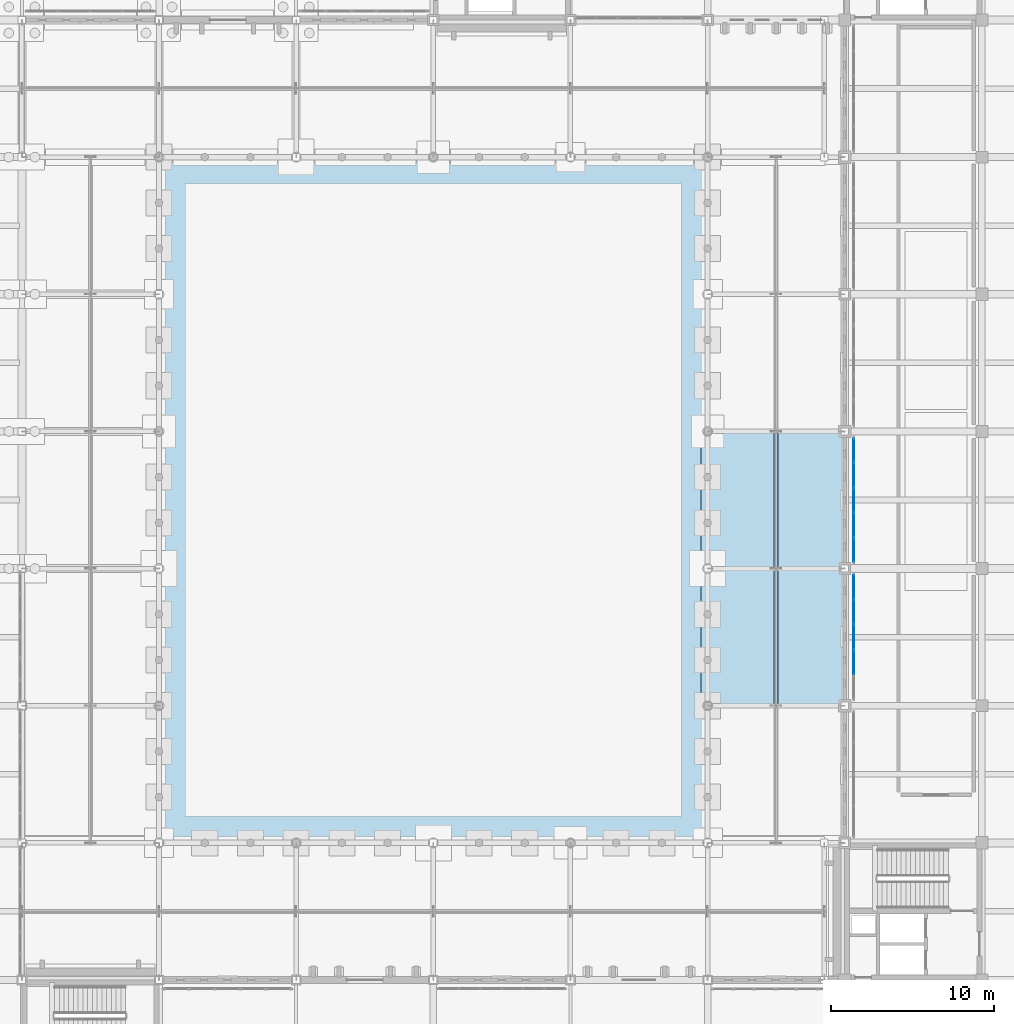
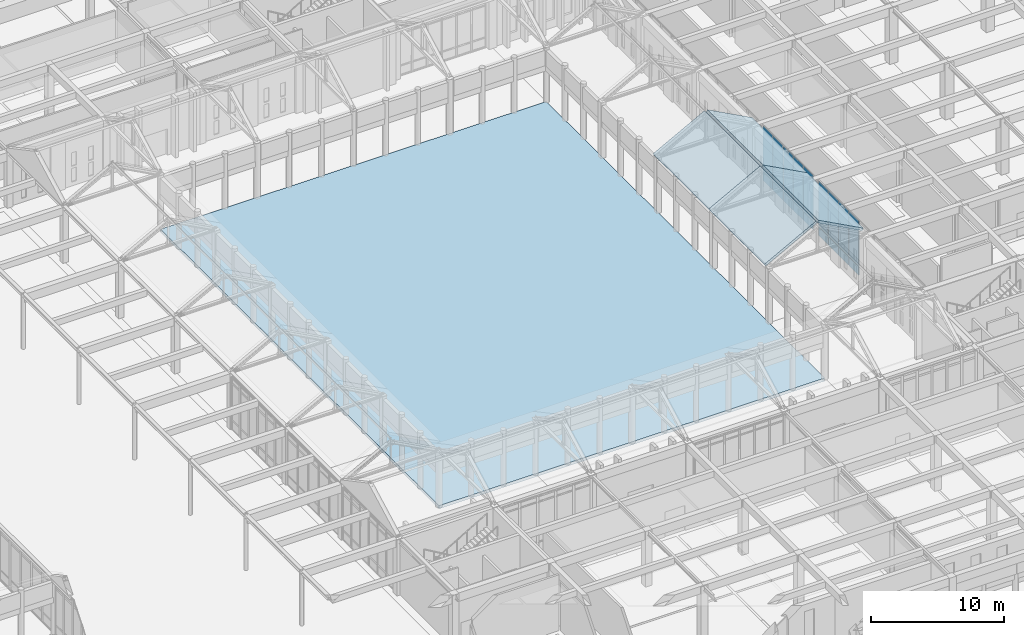
# One storey, part 75 of 143: 27 plates, 5 slabs, 2 elements without a shape of their own.
"""IFC4 building model written with IfcOpenShell, lengths in metres."""

from ifc_helpers import new_model, si_unit, direction, frame, origin, origin_2d, place, context, subcontext, project, spatial, polyline, rectangle, outline, extrude, material, layer, layer_set, type_object, element, aggregate, save


model = new_model("IFC4")

# Units and contexts
model_context = context("Model", 3, precision=1e-05, world=origin(), true_north=direction((0.0, 1.0)))
body_context = subcontext(model_context, "Body", "Model", "MODEL_VIEW")
ifc_project = project(units=[si_unit("LENGTHUNIT", "METRE"), si_unit("AREAUNIT", "SQUARE_METRE"), si_unit("VOLUMEUNIT", "CUBIC_METRE"), si_unit("PLANEANGLEUNIT", "RADIAN"), si_unit("MASSUNIT", "GRAM", prefix="KILO")], contexts=[model_context])

# Site, building, storey
site_placement = place(None, origin())
site = spatial("IfcSite", under=ifc_project, at=site_placement, CompositionType="ELEMENT")
building_placement = place(site_placement, origin())
building = spatial("IfcBuilding", under=site, at=building_placement, Name="Kveldsbrygga Polytechnic", CompositionType="ELEMENT")
storey_placement = place(building_placement, origin())
storey = spatial("IfcBuildingStorey", under=building, at=storey_placement, Name="L00", CompositionType="ELEMENT", Elevation=0.0)

# Curtain wall, plates
ifc_material_1 = material(Name="Anodised aluminium AW-6060", Category="aluminium")
ifc_layer_1 = layer(ifc_material_1, 0.18994140625)
ifc_layer_set_1 = layer_set([ifc_layer_1], Name="Anodised aluminium AW-6060")
curtain_wall_type_1 = type_object("IfcCurtainWallType", Name="CW-REFC-G", PredefinedType="USERDEFINED", material=ifc_layer_set_1)
curtain_wall_1_placement = place(storey_placement, origin())
curtain_wall_1 = element("IfcCurtainWall", 1, at=curtain_wall_1_placement, inside=storey, type_object=curtain_wall_type_1, Name="Curtain Wall CW-L00-Y-15-06", ObjectType="UNITISED CURTAIN WALL", PredefinedType="USERDEFINED")
ifc_material_2 = material(Name="Insulated triple low-E glass", Category="glass")
ifc_layer_2 = layer(ifc_material_2, 0.035888671875)
ifc_layer_set_2 = layer_set([ifc_layer_2], Name="Insulated triple low-E glass")
plate_type_1 = type_object("IfcPlateType", Name="CW-PAN-VIS36", PredefinedType="CURTAIN_PANEL", material=ifc_layer_set_2)
plate_1_placement = place(storey_placement, frame((126.550048828125, 51.533203125, 0.06005859375), z_axis=(0.0, 0.0, 1.0), x_axis=(0.0, 1.0, 0.0)))
plate_1 = element("IfcPlate", 2, at=plate_1_placement, type_object=plate_type_1, Name="CW-07 panel 1.1", PredefinedType="CURTAIN_PANEL", context=body_context, shape_type="SweptSolid", body=[
    extrude(rectangle(XDim=1.426513671875, YDim=0.035888671875, at=origin_2d()), origin(), (0.0, 0.0, 1.0), 0.81005859375),
])
plate_2_placement = place(storey_placement, frame((126.550048828125, 51.533203125, 0.93017578125), z_axis=(0.0, 0.0, 1.0), x_axis=(0.0, 1.0, 0.0)))
plate_2 = element("IfcPlate", 3, at=plate_2_placement, type_object=plate_type_1, Name="CW-07 panel 1.2", PredefinedType="CURTAIN_PANEL", context=body_context, shape_type="SweptSolid", body=[
    extrude(rectangle(XDim=1.426513671875, YDim=0.035888671875, at=origin_2d()), origin(), (0.0, 0.0, 1.0), 3.6298828125),
])
plate_3_placement = place(storey_placement, frame((126.550048828125, 51.533203125, 4.6201171875), z_axis=(0.0, 0.0, 1.0), x_axis=(0.0, 1.0, 0.0)))
plate_3 = element("IfcPlate", 4, at=plate_3_placement, type_object=plate_type_1, Name="CW-07 panel 1.3", PredefinedType="CURTAIN_PANEL", context=body_context, shape_type="SweptSolid", body=[
    extrude(rectangle(XDim=1.426513671875, YDim=0.035888671875, at=origin_2d()), origin(), (0.0, 0.0, 1.0), 0.4599609375),
])
plate_4_placement = place(storey_placement, frame((126.550048828125, 53.053466796875, 0.06005859375), z_axis=(0.0, 0.0, 1.0), x_axis=(0.0, 1.0, 0.0)))
plate_4 = element("IfcPlate", 5, at=plate_4_placement, type_object=plate_type_1, Name="CW-07 panel 2.1", PredefinedType="CURTAIN_PANEL", context=body_context, shape_type="SweptSolid", body=[
    extrude(rectangle(XDim=1.464111328125, YDim=0.035888671875, at=origin_2d()), origin(), (0.0, 0.0, 1.0), 0.81005859375),
])
plate_5_placement = place(storey_placement, frame((126.550048828125, 53.053466796875, 0.93017578125), z_axis=(0.0, 0.0, 1.0), x_axis=(0.0, 1.0, 0.0)))
plate_5 = element("IfcPlate", 6, at=plate_5_placement, type_object=plate_type_1, Name="CW-07 panel 2.2", PredefinedType="CURTAIN_PANEL", context=body_context, shape_type="SweptSolid", body=[
    extrude(rectangle(XDim=1.464111328125, YDim=0.035888671875, at=origin_2d()), origin(), (0.0, 0.0, 1.0), 3.6298828125),
])
plate_6_placement = place(storey_placement, frame((126.550048828125, 53.053466796875, 4.6201171875), z_axis=(0.0, 0.0, 1.0), x_axis=(0.0, 1.0, 0.0)))
plate_6 = element("IfcPlate", 7, at=plate_6_placement, type_object=plate_type_1, Name="CW-07 panel 2.3", PredefinedType="CURTAIN_PANEL", context=body_context, shape_type="SweptSolid", body=[
    extrude(rectangle(XDim=1.464111328125, YDim=0.035888671875, at=origin_2d()), origin(), (0.0, 0.0, 1.0), 0.4599609375),
])
plate_7_placement = place(storey_placement, frame((126.550048828125, 54.592529296875, 0.06005859375), z_axis=(0.0, 0.0, 1.0), x_axis=(0.0, 1.0, 0.0)))
plate_7 = element("IfcPlate", 8, at=plate_7_placement, type_object=plate_type_1, Name="CW-07 panel 3.1", PredefinedType="CURTAIN_PANEL", context=body_context, shape_type="SweptSolid", body=[
    extrude(rectangle(XDim=1.464111328125, YDim=0.035888671875, at=origin_2d()), origin(), (0.0, 0.0, 1.0), 0.81005859375),
])
plate_8_placement = place(storey_placement, frame((126.550048828125, 54.592529296875, 0.93017578125), z_axis=(0.0, 0.0, 1.0), x_axis=(0.0, 1.0, 0.0)))
plate_8 = element("IfcPlate", 9, at=plate_8_placement, type_object=plate_type_1, Name="CW-07 panel 3.2", PredefinedType="CURTAIN_PANEL", context=body_context, shape_type="SweptSolid", body=[
    extrude(rectangle(XDim=1.464111328125, YDim=0.035888671875, at=origin_2d()), origin(), (0.0, 0.0, 1.0), 3.6298828125),
])
plate_9_placement = place(storey_placement, frame((126.550048828125, 54.592529296875, 4.6201171875), z_axis=(0.0, 0.0, 1.0), x_axis=(0.0, 1.0, 0.0)))
plate_9 = element("IfcPlate", 10, at=plate_9_placement, type_object=plate_type_1, Name="CW-07 panel 3.3", PredefinedType="CURTAIN_PANEL", context=body_context, shape_type="SweptSolid", body=[
    extrude(rectangle(XDim=1.464111328125, YDim=0.035888671875, at=origin_2d()), origin(), (0.0, 0.0, 1.0), 0.4599609375),
])
plate_10_placement = place(storey_placement, frame((126.550048828125, 56.131591796875, 0.06005859375), z_axis=(0.0, 0.0, 1.0), x_axis=(0.0, 1.0, 0.0)))
plate_10 = element("IfcPlate", 11, at=plate_10_placement, type_object=plate_type_1, Name="CW-07 panel 4.1", PredefinedType="CURTAIN_PANEL", context=body_context, shape_type="SweptSolid", body=[
    extrude(rectangle(XDim=1.464111328125, YDim=0.035888671875, at=origin_2d()), origin(), (0.0, 0.0, 1.0), 0.81005859375),
])
plate_11_placement = place(storey_placement, frame((126.550048828125, 56.131591796875, 0.93017578125), z_axis=(0.0, 0.0, 1.0), x_axis=(0.0, 1.0, 0.0)))
plate_11 = element("IfcPlate", 12, at=plate_11_placement, type_object=plate_type_1, Name="CW-07 panel 4.2", PredefinedType="CURTAIN_PANEL", context=body_context, shape_type="SweptSolid", body=[
    extrude(rectangle(XDim=1.464111328125, YDim=0.035888671875, at=origin_2d()), origin(), (0.0, 0.0, 1.0), 3.6298828125),
])
plate_12_placement = place(storey_placement, frame((126.550048828125, 56.131591796875, 4.6201171875), z_axis=(0.0, 0.0, 1.0), x_axis=(0.0, 1.0, 0.0)))
plate_12 = element("IfcPlate", 13, at=plate_12_placement, type_object=plate_type_1, Name="CW-07 panel 4.3", PredefinedType="CURTAIN_PANEL", context=body_context, shape_type="SweptSolid", body=[
    extrude(rectangle(XDim=1.464111328125, YDim=0.035888671875, at=origin_2d()), origin(), (0.0, 0.0, 1.0), 0.4599609375),
])
plate_13_placement = place(storey_placement, frame((126.550048828125, 57.65185546875, 0.06005859375), z_axis=(0.0, 0.0, 1.0), x_axis=(0.0, 1.0, 0.0)))
plate_13 = element("IfcPlate", 14, at=plate_13_placement, type_object=plate_type_1, Name="CW-07 panel 5.1", PredefinedType="CURTAIN_PANEL", context=body_context, shape_type="SweptSolid", body=[
    extrude(rectangle(XDim=1.426513671875, YDim=0.035888671875, at=origin_2d()), origin(), (0.0, 0.0, 1.0), 0.81005859375),
])
plate_14_placement = place(storey_placement, frame((126.550048828125, 57.65185546875, 0.93017578125), z_axis=(0.0, 0.0, 1.0), x_axis=(0.0, 1.0, 0.0)))
plate_14 = element("IfcPlate", 15, at=plate_14_placement, type_object=plate_type_1, Name="CW-07 panel 5.2", PredefinedType="CURTAIN_PANEL", context=body_context, shape_type="SweptSolid", body=[
    extrude(rectangle(XDim=1.426513671875, YDim=0.035888671875, at=origin_2d()), origin(), (0.0, 0.0, 1.0), 3.6298828125),
])
plate_15_placement = place(storey_placement, frame((126.550048828125, 57.65185546875, 4.6201171875), z_axis=(0.0, 0.0, 1.0), x_axis=(0.0, 1.0, 0.0)))
plate_15 = element("IfcPlate", 16, at=plate_15_placement, type_object=plate_type_1, Name="CW-07 panel 5.3", PredefinedType="CURTAIN_PANEL", context=body_context, shape_type="SweptSolid", body=[
    extrude(rectangle(XDim=1.426513671875, YDim=0.035888671875, at=origin_2d()), origin(), (0.0, 0.0, 1.0), 0.4599609375),
])
aggregate(curtain_wall_1, [plate_1, plate_2, plate_3, plate_4, plate_5, plate_6, plate_7, plate_8, plate_9, plate_10, plate_11, plate_12, plate_13, plate_14, plate_15])

ifc_layer_3 = layer(ifc_material_1, 0.169921875)
ifc_layer_set_3 = layer_set([ifc_layer_3], Name="Anodised aluminium AW-6060")
curtain_wall_type_2 = type_object("IfcCurtainWallType", Name="CW-FOYR-F", PredefinedType="USERDEFINED", material=ifc_layer_set_3)
curtain_wall_2_placement = place(storey_placement, origin())
curtain_wall_2 = element("IfcCurtainWall", 17, at=curtain_wall_2_placement, inside=storey, type_object=curtain_wall_type_2, Name="Curtain Wall CW-L00-Y-15-05", ObjectType="STICK CURTAIN WALL", PredefinedType="USERDEFINED")
ifc_layer_4 = layer(ifc_material_2, 0.048095703125)
ifc_layer_set_4 = layer_set([ifc_layer_4], Name="Insulated triple low-E glass")
plate_type_2 = type_object("IfcPlateType", Name="CW-PAN-VIS48", PredefinedType="CURTAIN_PANEL", material=ifc_layer_set_4)
plate_16_placement = place(storey_placement, frame((126.550048828125, 44.66845703125, 0.074951171875), z_axis=(0.0, 0.0, 1.0), x_axis=(0.0, 1.0, 0.0)))
plate_16 = element("IfcPlate", 18, at=plate_16_placement, type_object=plate_type_2, Name="CW-06 panel 2.1", PredefinedType="CURTAIN_PANEL", context=body_context, shape_type="SweptSolid", body=[
    extrude(rectangle(XDim=1.47900390625, YDim=0.048095703125, at=origin_2d()), origin(), (0.0, 0.0, 1.0), 0.78759765625),
])
plate_17_placement = place(storey_placement, frame((126.550048828125, 44.66845703125, 0.9375), z_axis=(0.0, 0.0, 1.0), x_axis=(0.0, 1.0, 0.0)))
plate_17 = element("IfcPlate", 19, at=plate_17_placement, type_object=plate_type_2, Name="CW-06 panel 2.2", PredefinedType="CURTAIN_PANEL", context=body_context, shape_type="SweptSolid", body=[
    extrude(rectangle(XDim=1.47900390625, YDim=0.048095703125, at=origin_2d()), origin(), (0.0, 0.0, 1.0), 3.614990234375),
])
plate_18_placement = place(storey_placement, frame((126.550048828125, 44.66845703125, 4.62744140625), z_axis=(0.0, 0.0, 1.0), x_axis=(0.0, 1.0, 0.0)))
plate_18 = element("IfcPlate", 20, at=plate_18_placement, type_object=plate_type_2, Name="CW-06 panel 2.3", PredefinedType="CURTAIN_PANEL", context=body_context, shape_type="SweptSolid", body=[
    extrude(rectangle(XDim=1.47900390625, YDim=0.048095703125, at=origin_2d()), origin(), (0.0, 0.0, 1.0), 0.4375),
])
plate_19_placement = place(storey_placement, frame((126.550048828125, 46.20751953125, 0.074951171875), z_axis=(0.0, 0.0, 1.0), x_axis=(0.0, 1.0, 0.0)))
plate_19 = element("IfcPlate", 21, at=plate_19_placement, type_object=plate_type_2, Name="CW-06 panel 3.1", PredefinedType="CURTAIN_PANEL", context=body_context, shape_type="SweptSolid", body=[
    extrude(rectangle(XDim=1.47900390625, YDim=0.048095703125, at=origin_2d()), origin(), (0.0, 0.0, 1.0), 0.78759765625),
])
plate_20_placement = place(storey_placement, frame((126.550048828125, 46.20751953125, 0.9375), z_axis=(0.0, 0.0, 1.0), x_axis=(0.0, 1.0, 0.0)))
plate_20 = element("IfcPlate", 22, at=plate_20_placement, type_object=plate_type_2, Name="CW-06 panel 3.2", PredefinedType="CURTAIN_PANEL", context=body_context, shape_type="SweptSolid", body=[
    extrude(rectangle(XDim=1.47900390625, YDim=0.048095703125, at=origin_2d()), origin(), (0.0, 0.0, 1.0), 3.614990234375),
])
plate_21_placement = place(storey_placement, frame((126.550048828125, 46.20751953125, 4.62744140625), z_axis=(0.0, 0.0, 1.0), x_axis=(0.0, 1.0, 0.0)))
plate_21 = element("IfcPlate", 23, at=plate_21_placement, type_object=plate_type_2, Name="CW-06 panel 3.3", PredefinedType="CURTAIN_PANEL", context=body_context, shape_type="SweptSolid", body=[
    extrude(rectangle(XDim=1.47900390625, YDim=0.048095703125, at=origin_2d()), origin(), (0.0, 0.0, 1.0), 0.4375),
])
plate_22_placement = place(storey_placement, frame((126.550048828125, 47.74658203125, 0.074951171875), z_axis=(0.0, 0.0, 1.0), x_axis=(0.0, 1.0, 0.0)))
plate_22 = element("IfcPlate", 24, at=plate_22_placement, type_object=plate_type_2, Name="CW-06 panel 4.1", PredefinedType="CURTAIN_PANEL", context=body_context, shape_type="SweptSolid", body=[
    extrude(rectangle(XDim=1.47900390625, YDim=0.048095703125, at=origin_2d()), origin(), (0.0, 0.0, 1.0), 0.78759765625),
])
plate_23_placement = place(storey_placement, frame((126.550048828125, 47.74658203125, 0.9375), z_axis=(0.0, 0.0, 1.0), x_axis=(0.0, 1.0, 0.0)))
plate_23 = element("IfcPlate", 25, at=plate_23_placement, type_object=plate_type_2, Name="CW-06 panel 4.2", PredefinedType="CURTAIN_PANEL", context=body_context, shape_type="SweptSolid", body=[
    extrude(rectangle(XDim=1.47900390625, YDim=0.048095703125, at=origin_2d()), origin(), (0.0, 0.0, 1.0), 3.614990234375),
])
plate_24_placement = place(storey_placement, frame((126.550048828125, 47.74658203125, 4.62744140625), z_axis=(0.0, 0.0, 1.0), x_axis=(0.0, 1.0, 0.0)))
plate_24 = element("IfcPlate", 26, at=plate_24_placement, type_object=plate_type_2, Name="CW-06 panel 4.3", PredefinedType="CURTAIN_PANEL", context=body_context, shape_type="SweptSolid", body=[
    extrude(rectangle(XDim=1.47900390625, YDim=0.048095703125, at=origin_2d()), origin(), (0.0, 0.0, 1.0), 0.4375),
])
plate_25_placement = place(storey_placement, frame((126.550048828125, 49.2705078125, 0.074951171875), z_axis=(0.0, 0.0, 1.0), x_axis=(0.0, 1.0, 0.0)))
plate_25 = element("IfcPlate", 27, at=plate_25_placement, type_object=plate_type_2, Name="CW-06 panel 5.1", PredefinedType="CURTAIN_PANEL", context=body_context, shape_type="SweptSolid", body=[
    extrude(rectangle(XDim=1.448974609375, YDim=0.048095703125, at=origin_2d()), origin(), (0.0, 0.0, 1.0), 0.78759765625),
])
plate_26_placement = place(storey_placement, frame((126.550048828125, 49.2705078125, 0.9375), z_axis=(0.0, 0.0, 1.0), x_axis=(0.0, 1.0, 0.0)))
plate_26 = element("IfcPlate", 28, at=plate_26_placement, type_object=plate_type_2, Name="CW-06 panel 5.2", PredefinedType="CURTAIN_PANEL", context=body_context, shape_type="SweptSolid", body=[
    extrude(rectangle(XDim=1.448974609375, YDim=0.048095703125, at=origin_2d()), origin(), (0.0, 0.0, 1.0), 3.614990234375),
])
plate_27_placement = place(storey_placement, frame((126.550048828125, 49.2705078125, 4.62744140625), z_axis=(0.0, 0.0, 1.0), x_axis=(0.0, 1.0, 0.0)))
plate_27 = element("IfcPlate", 29, at=plate_27_placement, type_object=plate_type_2, Name="CW-06 panel 5.3", PredefinedType="CURTAIN_PANEL", context=body_context, shape_type="SweptSolid", body=[
    extrude(rectangle(XDim=1.448974609375, YDim=0.048095703125, at=origin_2d()), origin(), (0.0, 0.0, 1.0), 0.4375),
])
aggregate(curtain_wall_2, [plate_16, plate_17, plate_18, plate_19, plate_20, plate_21, plate_22, plate_23, plate_24, plate_25, plate_26, plate_27])

# Slabs
ifc_material_3 = material(Name="Concrete C35/45", Category="concrete")
ifc_layer_5 = layer(ifc_material_3, 0.280029296875)
ifc_layer_set_5 = layer_set([ifc_layer_5], Name="Concrete C35/45")
slab_type_1 = type_object("IfcSlabType", Name="SLB-COURT-280", PredefinedType="BASESLAB", material=ifc_layer_set_5)
slab_1_placement = place(storey_placement, frame((0.0, 0.0, -0.280029296875)))
element("IfcSlab", 30, at=slab_1_placement, inside=storey, type_object=slab_type_1, Name="Paved Quadrangle Slab ECOURT", PredefinedType="BASESLAB", context=body_context, shape_type="SweptSolid", body=[
    extrude(outline(polyline([(84.0, 33.60009765625), (117.60009765625, 33.60009765625), (117.60009765625, 75.60009765625), (84.0, 75.60009765625), (84.0, 33.60009765625)])), origin(), (0.0, 0.0, 1.0), 0.280029296875),
])
ifc_layer_6 = layer(ifc_material_3, 0.219970703125)
ifc_layer_set_6 = layer_set([ifc_layer_6], Name="Concrete C35/45")
slab_type_2 = type_object("IfcSlabType", Name="SLB-ROOF-220", PredefinedType="ROOF", material=ifc_layer_set_6)
slab_2_placement = place(storey_placement, frame((117.199951171875, 42.0, 5.521240234375), z_axis=(-0.472229417678, 0.0, 0.881475681502), x_axis=(0.881475681502, 0.0, 0.472229417678)))
element("IfcSlab", 31, at=slab_2_placement, inside=storey, type_object=slab_type_2, Name="Pitched Roof Slab ARC-EE-RSLB-2-1", PredefinedType="ROOF", context=body_context, shape_type="SweptSolid", body=[
    extrude(outline(polyline([(0.0, 0.0), (5.077932735618123, 0.0), (5.077932735618123, 8.39990234375), (0.0, 8.39990234375), (0.0, 0.0)])), origin(), (0.0, 0.0, -1.0), 0.219970703125),
])
slab_3_placement = place(storey_placement, frame((121.923828125, 42.0, 7.919189453125), z_axis=(0.472201486297, 0.0, 0.881490644499), x_axis=(0.881490644499, 0.0, -0.472201486297)))
element("IfcSlab", 32, at=slab_3_placement, inside=storey, type_object=slab_type_2, Name="Pitched Roof Slab ARC-EE-RSLB-2-2", PredefinedType="ROOF", context=body_context, shape_type="SweptSolid", body=[
    extrude(outline(polyline([(0.0, 0.0), (4.420058520973963, 0.0), (4.420058520973963, 8.39990234375), (0.0, 8.39990234375), (0.0, 0.0)])), origin(), (0.0, 0.0, -1.0), 0.219970703125),
])
slab_4_placement = place(storey_placement, frame((117.199951171875, 50.39990234375, 5.521240234375), z_axis=(-0.472229417678, 0.0, 0.881475681502), x_axis=(0.881475681502, 0.0, 0.472229417678)))
element("IfcSlab", 33, at=slab_4_placement, inside=storey, type_object=slab_type_2, Name="Pitched Roof Slab ARC-EE-RSLB-3-1", PredefinedType="ROOF", context=body_context, shape_type="SweptSolid", body=[
    extrude(outline(polyline([(0.0, 0.0), (5.077932735618123, 0.0), (5.077932735618123, 8.400146484375), (0.0, 8.400146484375), (0.0, 0.0)])), origin(), (0.0, 0.0, -1.0), 0.219970703125),
])
slab_5_placement = place(storey_placement, frame((121.923828125, 50.39990234375, 7.919189453125), z_axis=(0.472201486297, 0.0, 0.881490644499), x_axis=(0.881490644499, 0.0, -0.472201486297)))
element("IfcSlab", 34, at=slab_5_placement, inside=storey, type_object=slab_type_2, Name="Pitched Roof Slab ARC-EE-RSLB-3-2", PredefinedType="ROOF", context=body_context, shape_type="SweptSolid", body=[
    extrude(outline(polyline([(0.0, 0.0), (4.420058520973963, 0.0), (4.420058520973963, 8.400146484375), (0.0, 8.400146484375), (0.0, 0.0)])), origin(), (0.0, 0.0, -1.0), 0.219970703125),
])

save(model, "model.ifc")
